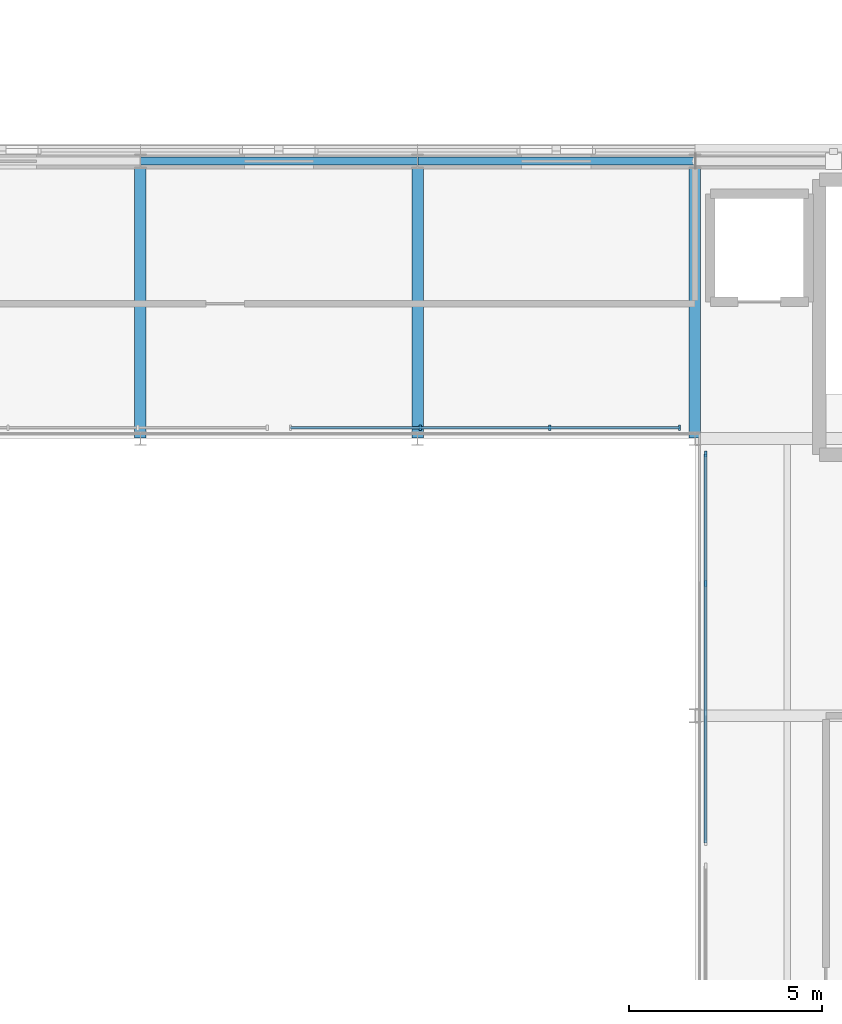
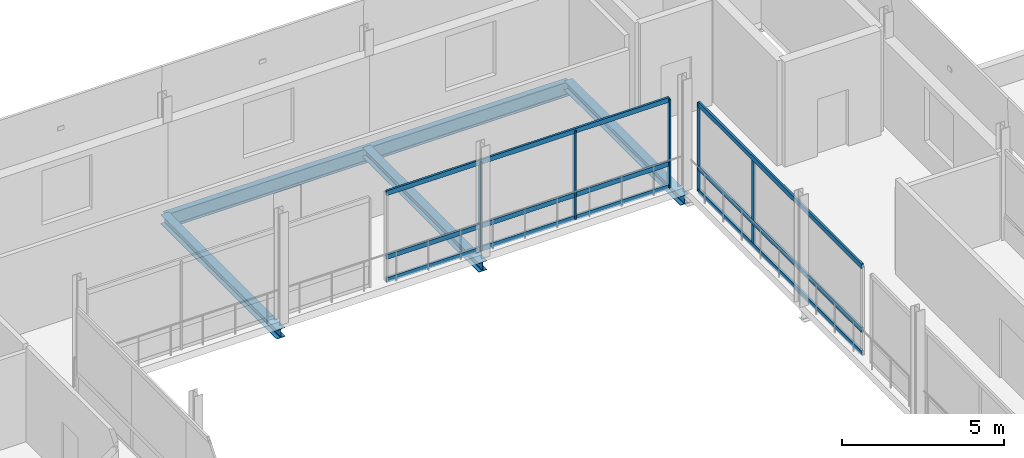
# One storey, part 25 of 91: 11 members, 5 beams, 2 elements without a shape of their own.
"""IFC4 building model written with IfcOpenShell, lengths in metres."""

from ifc_helpers import new_model, si_unit, direction, frame, origin, origin_2d, place, context, subcontext, project, spatial, rectangle, i_section, extrude, material, layer, layer_set, material_profile, profile_set, type_object, element, aggregate, save


model = new_model("IFC4")

# Units and contexts
model_context = context("Model", 3, precision=1e-05, world=origin(), true_north=direction((0.0, 1.0)))
body_context = subcontext(model_context, "Body", "Model", "MODEL_VIEW")
ifc_project = project(units=[si_unit("LENGTHUNIT", "METRE"), si_unit("AREAUNIT", "SQUARE_METRE"), si_unit("VOLUMEUNIT", "CUBIC_METRE"), si_unit("PLANEANGLEUNIT", "RADIAN"), si_unit("MASSUNIT", "GRAM", prefix="KILO")], contexts=[model_context])

# Site, building, storey
site_placement = place(None, origin())
site = spatial("IfcSite", under=ifc_project, at=site_placement, CompositionType="ELEMENT")
building_placement = place(site_placement, origin())
building = spatial("IfcBuilding", under=site, at=building_placement, Name="Narikvali Park Central Library", CompositionType="ELEMENT")
storey_placement = place(building_placement, frame((0.0, 0.0, 14.39990234375)))
storey = spatial("IfcBuildingStorey", under=building, at=storey_placement, Name="L03", CompositionType="ELEMENT", Elevation=14.39990234375)

# Curtain wall, members
ifc_material_1 = material(Name="Anodised Bronze Aluminium", Category="aluminium")
ifc_layer = layer(ifc_material_1, 0.219970703125, Name="Anodised Bronze Aluminium")
ifc_layer_set = layer_set([ifc_layer], Name="Anodised Bronze Aluminium")
curtain_wall_type = type_object("IfcCurtainWallType", Name="Atrium Tall Curtain Wall System", PredefinedType="NOTDEFINED", material=ifc_layer_set)
curtain_wall_1_placement = place(storey_placement, origin())
curtain_wall_1 = element("IfcCurtainWall", 1, at=curtain_wall_1_placement, inside=storey, type_object=curtain_wall_type, Name="Atrium Tall Curtain Wall System CW-INT-V1-L03-E2", PredefinedType="NOTDEFINED")
ifc_material_profile_1 = material_profile(ifc_material_1, rectangle(XDim=0.074951171875, YDim=0.179931640625, at=origin_2d()), Name="CW TRANSOM 75x180")
ifc_profile_set_1 = profile_set([ifc_material_profile_1], Name="Anodised Bronze Aluminium")
member_type_1 = type_object("IfcMemberType", Name="Curtain Wall Heavy Transom 75x180", PredefinedType="USERDEFINED", material=ifc_profile_set_1)
member_1_placement = place(storey_placement, frame((93.8798828125, 75.89990234375, 0.030029296875), z_axis=(0.0, 1.0, 0.0), x_axis=(-1.0, 0.0, 0.0)))
member_1 = element("IfcMember", 2, at=member_1_placement, type_object=member_type_1, Name="CW-INT-V1-L03-E2 Transom 00", ObjectType="TRANSOM", PredefinedType="USERDEFINED", context=body_context, shape_type="SweptSolid", body=[
    extrude(rectangle(XDim=0.074951171875, YDim=0.179931640625, at=origin_2d()), origin(), (0.0, 0.0, 1.0), 10.10009765625),
])
member_2_placement = place(storey_placement, frame((93.8798828125, 75.89990234375, 0.900146484375), z_axis=(0.0, 1.0, 0.0), x_axis=(-1.0, 0.0, 0.0)))
member_2 = element("IfcMember", 3, at=member_2_placement, type_object=member_type_1, Name="CW-INT-V1-L03-E2 Transom 01", ObjectType="TRANSOM", PredefinedType="USERDEFINED", context=body_context, shape_type="SweptSolid", body=[
    extrude(rectangle(XDim=0.074951171875, YDim=0.179931640625, at=origin_2d()), origin(), (0.0, 0.0, 1.0), 10.10009765625),
])
member_3_placement = place(storey_placement, frame((93.8798828125, 75.89990234375, 3.31005859375), z_axis=(0.0, 1.0, 0.0), x_axis=(-1.0, 0.0, 0.0)))
member_3 = element("IfcMember", 4, at=member_3_placement, type_object=member_type_1, Name="CW-INT-V1-L03-E2 Transom 02", ObjectType="TRANSOM", PredefinedType="USERDEFINED", context=body_context, shape_type="SweptSolid", body=[
    extrude(rectangle(XDim=0.074951171875, YDim=0.179931640625, at=origin_2d()), origin(), (0.0, 0.0, 1.0), 10.10009765625),
])

curtain_wall_2_placement = place(storey_placement, origin())
curtain_wall_2 = element("IfcCurtainWall", 5, at=curtain_wall_2_placement, inside=storey, type_object=curtain_wall_type, Name="Atrium Tall Curtain Wall System CW-INT-V1-L03-N2", PredefinedType="NOTDEFINED")
member_4_placement = place(storey_placement, frame((83.10009765625, 86.679931640625, 0.030029296875), z_axis=(1.0, 0.0, 0.0), x_axis=(0.0, 1.0, 0.0)))
member_4 = element("IfcMember", 6, at=member_4_placement, type_object=member_type_1, Name="CW-INT-V1-L03-N2 Transom 00", ObjectType="TRANSOM", PredefinedType="USERDEFINED", context=body_context, shape_type="SweptSolid", body=[
    extrude(rectangle(XDim=0.074951171875, YDim=0.179931640625, at=origin_2d()), origin(), (0.0, 0.0, 1.0), 10.099853515625),
])
member_5_placement = place(storey_placement, frame((83.10009765625, 86.679931640625, 0.900146484375), z_axis=(1.0, 0.0, 0.0), x_axis=(0.0, 1.0, 0.0)))
member_5 = element("IfcMember", 7, at=member_5_placement, type_object=member_type_1, Name="CW-INT-V1-L03-N2 Transom 01", ObjectType="TRANSOM", PredefinedType="USERDEFINED", context=body_context, shape_type="SweptSolid", body=[
    extrude(rectangle(XDim=0.074951171875, YDim=0.179931640625, at=origin_2d()), origin(), (0.0, 0.0, 1.0), 10.099853515625),
])
member_6_placement = place(storey_placement, frame((83.10009765625, 86.679931640625, 3.31005859375), z_axis=(1.0, 0.0, 0.0), x_axis=(0.0, 1.0, 0.0)))
member_6 = element("IfcMember", 8, at=member_6_placement, type_object=member_type_1, Name="CW-INT-V1-L03-N2 Transom 02", ObjectType="TRANSOM", PredefinedType="USERDEFINED", context=body_context, shape_type="SweptSolid", body=[
    extrude(rectangle(XDim=0.074951171875, YDim=0.179931640625, at=origin_2d()), origin(), (0.0, 0.0, 1.0), 10.099853515625),
])

# Member
ifc_material_profile_2 = material_profile(ifc_material_1, rectangle(XDim=0.06005859375, YDim=0.14990234375, at=origin_2d()), Name="CW MULLION 60x150")
ifc_profile_set_2 = profile_set([ifc_material_profile_2], Name="Anodised Bronze Aluminium")
member_type_2 = type_object("IfcMemberType", Name="Curtain Wall Mullion 60x150", PredefinedType="MULLION", material=ifc_profile_set_2)
member_7_placement = place(storey_placement, frame((93.8798828125, 82.63330078125, -0.010009765625), z_axis=(0.0, 0.0, 1.0), x_axis=(1.0, 0.0, 0.0)))
member_7 = element("IfcMember", 9, at=member_7_placement, type_object=member_type_2, Name="CW-INT-V1-L03-E2 Mullion 02", PredefinedType="MULLION", context=body_context, shape_type="SweptSolid", body=[
    extrude(rectangle(XDim=0.06005859375, YDim=0.14990234375, at=origin_2d()), origin(), (0.0, 0.0, 1.0), 3.35009765625),
])

member_8_placement = place(storey_placement, frame((93.8798828125, 86.0, -0.010009765625), z_axis=(0.0, 0.0, 1.0), x_axis=(1.0, 0.0, 0.0)))
member_8 = element("IfcMember", 10, at=member_8_placement, type_object=member_type_2, Name="CW-INT-V1-L03-E2 Mullion 03", PredefinedType="MULLION", context=body_context, shape_type="SweptSolid", body=[
    extrude(rectangle(XDim=0.06005859375, YDim=0.14990234375, at=origin_2d()), origin(), (0.0, 0.0, 1.0), 3.35009765625),
])

aggregate(curtain_wall_1, [member_7, member_8, member_1, member_2, member_3])

member_9_placement = place(storey_placement, frame((86.466796875, 86.679931640625, -0.010009765625), z_axis=(0.0, 0.0, 1.0), x_axis=(1.0, 0.0, 0.0)))
member_9 = element("IfcMember", 11, at=member_9_placement, type_object=member_type_2, Name="CW-INT-V1-L03-N2 Mullion 01", PredefinedType="MULLION", context=body_context, shape_type="SweptSolid", body=[
    extrude(rectangle(XDim=0.06005859375, YDim=0.14990234375, at=origin_2d()), origin(), (0.0, 0.0, 1.0), 3.35009765625),
])

member_10_placement = place(storey_placement, frame((89.833251953125, 86.679931640625, -0.010009765625), z_axis=(0.0, 0.0, 1.0), x_axis=(1.0, 0.0, 0.0)))
member_10 = element("IfcMember", 12, at=member_10_placement, type_object=member_type_2, Name="CW-INT-V1-L03-N2 Mullion 02", PredefinedType="MULLION", context=body_context, shape_type="SweptSolid", body=[
    extrude(rectangle(XDim=0.06005859375, YDim=0.14990234375, at=origin_2d()), origin(), (0.0, 0.0, 1.0), 3.35009765625),
])

member_11_placement = place(storey_placement, frame((93.199951171875, 86.679931640625, -0.010009765625), z_axis=(0.0, 0.0, 1.0), x_axis=(1.0, 0.0, 0.0)))
member_11 = element("IfcMember", 13, at=member_11_placement, type_object=member_type_2, Name="CW-INT-V1-L03-N2 Mullion 03", PredefinedType="MULLION", context=body_context, shape_type="SweptSolid", body=[
    extrude(rectangle(XDim=0.06005859375, YDim=0.14990234375, at=origin_2d()), origin(), (0.0, 0.0, 1.0), 3.35009765625),
])

aggregate(curtain_wall_2, [member_9, member_10, member_11, member_4, member_5, member_6])

# Beams
ifc_material_2 = material(Name="Steel S355", Category="steel")
ifc_material_profile_3 = material_profile(ifc_material_2, i_section(OverallWidth=0.2099609375, OverallDepth=0.550048828125, WebThickness=0.010986328125, FlangeThickness=0.01708984375, FilletRadius=0.02392578125, at=origin_2d()), Name="IPE 550")
ifc_profile_set_3 = profile_set([ifc_material_profile_3], Name="Steel S355")
beam_type_1 = type_object("IfcBeamType", Name="Perimeter Spandrel IPE550", PredefinedType="SPANDREL", material=ifc_profile_set_3)
for number, where, z_axis, x_axis, name in (
    (14, (79.2080078125, 93.60009765625, -0.554931640625), (1.0, 0.0, 0.0), (0.0, 1.0, 0.0), "V1 L03 Girder X"),
    (15, (86.407958984375, 93.60009765625, -0.554931640625), (1.0, 0.0, 0.0), (0.0, 1.0, 0.0), "V1 L03 Girder X"),
):
    element("IfcBeam", number, at=place(storey_placement, frame(where, z_axis=z_axis, x_axis=x_axis)), inside=storey, type_object=beam_type_1, Name=name, PredefinedType="SPANDREL", context=body_context, shape_type="SweptSolid", body=[
        extrude(i_section(OverallWidth=0.2099609375, OverallDepth=0.550048828125, WebThickness=0.010986328125, FlangeThickness=0.01708984375, FilletRadius=0.02392578125, at=origin_2d()), origin(), (0.0, 0.0, 1.0), 7.18408203125),
    ])
ifc_material_profile_4 = material_profile(ifc_material_2, i_section(OverallWidth=0.300048828125, OverallDepth=0.35009765625, WebThickness=0.010009765625, FlangeThickness=0.017578125, FilletRadius=0.027099609375, at=origin_2d()), Name="HEA 360")
ifc_profile_set_4 = profile_set([ifc_material_profile_4], Name="Steel S355")
beam_type_2 = type_object("IfcBeamType", Name="Primary Girder HEA360", PredefinedType="BEAM", material=ifc_profile_set_4)
for number, where, z_axis, x_axis, name in (
    (16, (79.199951171875, 86.407958984375, -0.454833984375), (0.0, 1.0, 0.0), (-1.0, 0.0, 0.0), "V1 L03 Girder Y"),
    (17, (86.39990234375, 86.407958984375, -0.454833984375), (0.0, 1.0, 0.0), (-1.0, 0.0, 0.0), "V1 L03 Girder Y"),
    (18, (93.60009765625, 86.407958984375, -0.454833984375), (0.0, 1.0, 0.0), (-1.0, 0.0, 0.0), "V1 L03 Girder Y"),
):
    element("IfcBeam", number, at=place(storey_placement, frame(where, z_axis=z_axis, x_axis=x_axis)), inside=storey, type_object=beam_type_2, Name=name, PredefinedType="BEAM", context=body_context, shape_type="SweptSolid", body=[
        extrude(i_section(OverallWidth=0.300048828125, OverallDepth=0.35009765625, WebThickness=0.010009765625, FlangeThickness=0.017578125, FilletRadius=0.027099609375, at=origin_2d()), origin(), (0.0, 0.0, 1.0), 7.18408203125),
    ])

save(model, "model.ifc")
